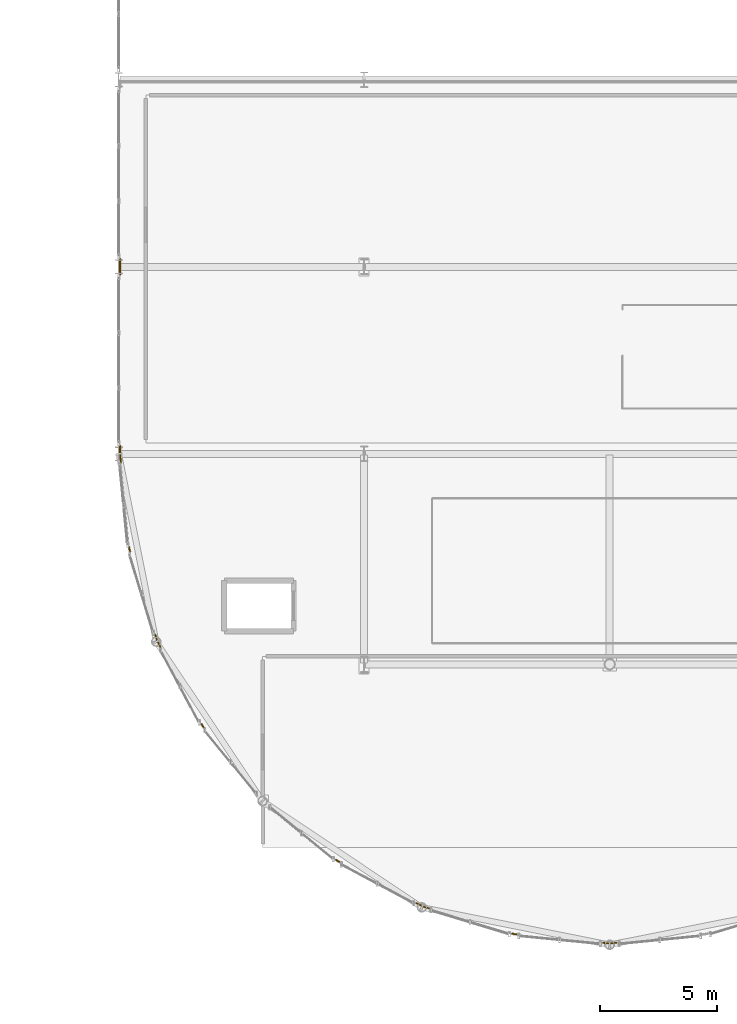
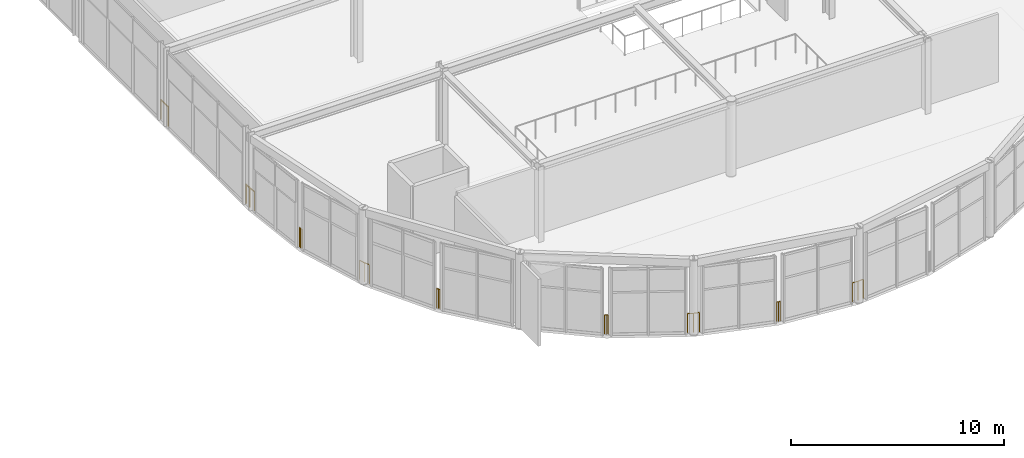
# One storey, part 88 of 105: 10 railings.
"""IFC4 building model written with IfcOpenShell, lengths in metres."""

from ifc_helpers import new_model, si_unit, direction, frame, origin, origin_2d, place, context, subcontext, project, spatial, circle, extrude, material, type_object, element, save


model = new_model("IFC4")

# Units and contexts
model_context = context("Model", 3, precision=1e-05, world=origin(), true_north=direction((0.0, 1.0)))
body_context = subcontext(model_context, "Body", "Model", "MODEL_VIEW")
ifc_project = project(units=[si_unit("LENGTHUNIT", "METRE"), si_unit("AREAUNIT", "SQUARE_METRE"), si_unit("VOLUMEUNIT", "CUBIC_METRE"), si_unit("PLANEANGLEUNIT", "RADIAN"), si_unit("MASSUNIT", "GRAM", prefix="KILO")], contexts=[model_context])

# Site, building, storey
site_placement = place(None, origin())
site = spatial("IfcSite", under=ifc_project, at=site_placement, CompositionType="ELEMENT")
building_placement = place(site_placement, origin())
building = spatial("IfcBuilding", under=site, at=building_placement, Name="Marlcrest Central Station", CompositionType="ELEMENT")
storey_placement = place(building_placement, frame((0.0, 0.0, 15.0)))
storey = spatial("IfcBuildingStorey", under=building, at=storey_placement, Name="L03", CompositionType="ELEMENT", Elevation=15.0)

# Railings
ifc_material = material(Name="Stainless steel and laminated glass concourse balustrade", Category="steel")
railing_type = type_object("IfcRailingType", Name="GR-02", PredefinedType="BALUSTRADE", material=ifc_material)
railing_1_placement = place(storey_placement, frame((87.06005859375, 22.5029296875, 0.0)))
element("IfcRailing", 1, at=railing_1_placement, inside=storey, type_object=railing_type, Name="hr-L03-00426", PredefinedType="BALUSTRADE", context=body_context, shape_type="SweptSolid", body=[
    extrude(circle(Radius=0.02392578125, at=origin_2d()), frame((0.0, 0.0, 1.09619140625), z_axis=(0.0, 1.0, 0.0), x_axis=(-1.0, 0.0, 0.0)), (0.0, 0.0, 1.0), 0.337158203125),
    extrude(circle(Radius=0.02099609375, at=origin_2d()), origin(), (0.0, 0.0, 1.0), 1.072021484375),
    extrude(circle(Radius=0.02099609375, at=origin_2d()), frame((0.0, 0.337158203125, 0.0)), (0.0, 0.0, 1.0), 1.072021484375),
])
railing_2_placement = place(storey_placement, frame((87.06005859375, 30.159912109375, 0.0)))
element("IfcRailing", 2, at=railing_2_placement, inside=storey, type_object=railing_type, Name="hr-L03-00427", PredefinedType="BALUSTRADE", context=body_context, shape_type="SweptSolid", body=[
    extrude(circle(Radius=0.02392578125, at=origin_2d()), frame((0.0, 0.0, 1.09619140625), z_axis=(0.0, 1.0, 0.0), x_axis=(-1.0, 0.0, 0.0)), (0.0, 0.0, 1.0), 0.68017578125),
    extrude(circle(Radius=0.02099609375, at=origin_2d()), origin(), (0.0, 0.0, 1.0), 1.072021484375),
    extrude(circle(Radius=0.02099609375, at=origin_2d()), frame((0.0, 0.68017578125, 0.0)), (0.0, 0.0, 1.0), 1.072021484375),
])
railing_3_placement = place(storey_placement, frame((108.285888671875, 1.589111328125, 0.0)))
element("IfcRailing", 3, at=railing_3_placement, inside=storey, type_object=railing_type, Name="hr-L03-00438", PredefinedType="BALUSTRADE", context=body_context, shape_type="SweptSolid", body=[
    extrude(circle(Radius=0.02392578125, at=origin_2d()), frame((0.0, 0.0, 1.09619140625), z_axis=(-0.994876081784, -0.101101839225, 0.0), x_axis=(0.101101839225, -0.994876081784, 0.0)), (0.0, 0.0, 1.0), 0.287353515625),
    extrude(circle(Radius=0.02392578125, at=origin_2d()), frame((-0.285888671875, -0.029052734375, 1.09619140625), z_axis=(-0.994876081784, 0.101101839225, 0.0), x_axis=(-0.101101839225, -0.994876081784, 0.0)), (0.0, 0.0, 1.0), 0.287353515625),
    extrude(circle(Radius=0.02099609375, at=origin_2d()), origin(), (0.0, 0.0, 1.0), 1.072021484375),
    extrude(circle(Radius=0.02099609375, at=origin_2d()), frame((-0.285888671875, -0.029052734375, 0.0)), (0.0, 0.0, 1.0), 1.072021484375),
    extrude(circle(Radius=0.02099609375, at=origin_2d()), frame((-0.57177734375, 0.0, 0.0)), (0.0, 0.0, 1.0), 1.072021484375),
])
railing_4_placement = place(storey_placement, frame((104.00390625, 1.9541015625, 0.0)))
element("IfcRailing", 4, at=railing_4_placement, inside=storey, type_object=railing_type, Name="hr-L03-00439", PredefinedType="BALUSTRADE", context=body_context, shape_type="SweptSolid", body=[
    extrude(circle(Radius=0.02392578125, at=origin_2d()), frame((0.0, 0.0, 1.09619140625), z_axis=(-0.995144874966, 0.0984209217, 0.0), x_axis=(-0.0984209217, -0.995144874966, 0.0)), (0.0, 0.0, 1.0), 0.08935546875),
    extrude(circle(Radius=0.02392578125, at=origin_2d()), frame((-0.0888671875, 0.0087890625, 1.09619140625), z_axis=(-0.956772580042, 0.290837119501, 0.0), x_axis=(-0.290837119501, -0.956772580042, 0.0)), (0.0, 0.0, 1.0), 0.08984375),
    extrude(circle(Radius=0.02099609375, at=origin_2d()), origin(), (0.0, 0.0, 1.0), 1.072021484375),
    extrude(circle(Radius=0.02099609375, at=origin_2d()), frame((-0.0888671875, 0.0087890625, 0.0)), (0.0, 0.0, 1.0), 1.072021484375),
    extrude(circle(Radius=0.02099609375, at=origin_2d()), frame((-0.1748046875, 0.034912109375, 0.0)), (0.0, 0.0, 1.0), 1.072021484375),
])
railing_5_placement = place(storey_placement, frame((100.262939453125, 3.071044921875, 0.0)))
element("IfcRailing", 5, at=railing_5_placement, inside=storey, type_object=railing_type, Name="hr-L03-00440", PredefinedType="BALUSTRADE", context=body_context, shape_type="SweptSolid", body=[
    extrude(circle(Radius=0.02392578125, at=origin_2d()), frame((0.0, 0.0, 1.09619140625), z_axis=(-0.956653372273, 0.291228991205, 0.0), x_axis=(-0.291228991205, -0.956653372273, 0.0)), (0.0, 0.0, 1.0), 0.288330078125),
    extrude(circle(Radius=0.02392578125, at=origin_2d()), frame((-0.27587890625, 0.083984375, 1.09619140625), z_axis=(-0.883126703113, 0.469134550261, 0.0), x_axis=(-0.469134550261, -0.883126703113, 0.0)), (0.0, 0.0, 1.0), 0.287841796875),
    extrude(circle(Radius=0.02099609375, at=origin_2d()), origin(), (0.0, 0.0, 1.0), 1.072021484375),
    extrude(circle(Radius=0.02099609375, at=origin_2d()), frame((-0.27587890625, 0.083984375, 0.0)), (0.0, 0.0, 1.0), 1.072021484375),
    extrude(circle(Radius=0.02099609375, at=origin_2d()), frame((-0.530029296875, 0.218994140625, 0.0)), (0.0, 0.0, 1.0), 1.072021484375),
])
railing_6_placement = place(storey_placement, frame((96.446044921875, 5.047119140625, 0.0)))
element("IfcRailing", 6, at=railing_6_placement, inside=storey, type_object=railing_type, Name="hr-L03-00441", PredefinedType="BALUSTRADE", context=body_context, shape_type="SweptSolid", body=[
    extrude(circle(Radius=0.02392578125, at=origin_2d()), frame((0.0, 0.0, 1.09619140625), z_axis=(-0.885620050665, 0.464410514373, 0.0), x_axis=(-0.464410514373, -0.885620050665, 0.0)), (0.0, 0.0, 1.0), 0.09033203125),
    extrude(circle(Radius=0.02392578125, at=origin_2d()), frame((-0.080078125, 0.0419921875, 1.09619140625), z_axis=(-0.770903388504, 0.636952090501, 0.0), x_axis=(-0.636952090501, -0.770903388504, 0.0)), (0.0, 0.0, 1.0), 0.08935546875),
    extrude(circle(Radius=0.02099609375, at=origin_2d()), origin(), (0.0, 0.0, 1.0), 1.072021484375),
    extrude(circle(Radius=0.02099609375, at=origin_2d()), frame((-0.080078125, 0.0419921875, 0.0)), (0.0, 0.0, 1.0), 1.072021484375),
    extrude(circle(Radius=0.02099609375, at=origin_2d()), frame((-0.14892578125, 0.098876953125, 0.0)), (0.0, 0.0, 1.0), 1.072021484375),
])
railing_7_placement = place(storey_placement, frame((90.64599609375, 10.797119140625, 0.0)))
element("IfcRailing", 7, at=railing_7_placement, inside=storey, type_object=railing_type, Name="hr-L03-00442", PredefinedType="BALUSTRADE", context=body_context, shape_type="SweptSolid", body=[
    extrude(circle(Radius=0.02392578125, at=origin_2d()), frame((0.0, 0.0, 1.09619140625), z_axis=(-0.636952090501, 0.770903388504, 0.0), x_axis=(-0.770903388504, -0.636952090501, 0.0)), (0.0, 0.0, 1.0), 0.08935546875),
    extrude(circle(Radius=0.02392578125, at=origin_2d()), frame((-0.056884765625, 0.06884765625, 1.09619140625), z_axis=(-0.464410514373, 0.885620050665, 0.0), x_axis=(-0.885620050665, -0.464410514373, 0.0)), (0.0, 0.0, 1.0), 0.09033203125),
    extrude(circle(Radius=0.02099609375, at=origin_2d()), origin(), (0.0, 0.0, 1.0), 1.072021484375),
    extrude(circle(Radius=0.02099609375, at=origin_2d()), frame((-0.056884765625, 0.06884765625, 0.0)), (0.0, 0.0, 1.0), 1.072021484375),
    extrude(circle(Radius=0.02099609375, at=origin_2d()), frame((-0.098876953125, 0.14892578125, 0.0)), (0.0, 0.0, 1.0), 1.072021484375),
])
railing_8_placement = place(storey_placement, frame((88.7900390625, 14.23291015625, 0.0)))
element("IfcRailing", 8, at=railing_8_placement, inside=storey, type_object=railing_type, Name="hr-L03-00443", PredefinedType="BALUSTRADE", context=body_context, shape_type="SweptSolid", body=[
    extrude(circle(Radius=0.02392578125, at=origin_2d()), frame((0.0, 0.0, 1.09619140625), z_axis=(-0.469134550261, 0.883126703113, 0.0), x_axis=(-0.883126703113, -0.469134550261, 0.0)), (0.0, 0.0, 1.0), 0.287841796875),
    extrude(circle(Radius=0.02392578125, at=origin_2d()), frame((-0.135009765625, 0.254150390625, 1.09619140625), z_axis=(-0.291228991205, 0.956653372273, 0.0), x_axis=(-0.956653372273, -0.291228991205, 0.0)), (0.0, 0.0, 1.0), 0.288330078125),
    extrude(circle(Radius=0.02099609375, at=origin_2d()), origin(), (0.0, 0.0, 1.0), 1.072021484375),
    extrude(circle(Radius=0.02099609375, at=origin_2d()), frame((-0.135009765625, 0.254150390625, 0.0)), (0.0, 0.0, 1.0), 1.072021484375),
    extrude(circle(Radius=0.02099609375, at=origin_2d()), frame((-0.218994140625, 0.530029296875, 0.0)), (0.0, 0.0, 1.0), 1.072021484375),
])
railing_9_placement = place(storey_placement, frame((87.489013671875, 18.3291015625, 0.0)))
element("IfcRailing", 9, at=railing_9_placement, inside=storey, type_object=railing_type, Name="hr-L03-00444", PredefinedType="BALUSTRADE", context=body_context, shape_type="SweptSolid", body=[
    extrude(circle(Radius=0.02392578125, at=origin_2d()), frame((0.0, 0.0, 1.09619140625), z_axis=(-0.290837119501, 0.956772580042, 0.0), x_axis=(-0.956772580042, -0.290837119501, 0.0)), (0.0, 0.0, 1.0), 0.08984375),
    extrude(circle(Radius=0.02392578125, at=origin_2d()), frame((-0.026123046875, 0.0859375, 1.09619140625), z_axis=(-0.0984209217, 0.995144874966, 0.0), x_axis=(-0.995144874966, -0.0984209217, 0.0)), (0.0, 0.0, 1.0), 0.08935546875),
    extrude(circle(Radius=0.02099609375, at=origin_2d()), origin(), (0.0, 0.0, 1.0), 1.072021484375),
    extrude(circle(Radius=0.02099609375, at=origin_2d()), frame((-0.026123046875, 0.0859375, 0.0)), (0.0, 0.0, 1.0), 1.072021484375),
    extrude(circle(Radius=0.02099609375, at=origin_2d()), frame((-0.034912109375, 0.1748046875, 0.0)), (0.0, 0.0, 1.0), 1.072021484375),
])
railing_10_placement = place(storey_placement, frame((87.097900390625, 22.116943359375, 0.0)))
element("IfcRailing", 10, at=railing_10_placement, inside=storey, type_object=railing_type, Name="hr-L03-00445", PredefinedType="BALUSTRADE", context=body_context, shape_type="SweptSolid", body=[
    extrude(circle(Radius=0.02392578125, at=origin_2d()), frame((0.0, 0.0, 1.09619140625), z_axis=(-0.097571424031, 0.99522852512, 0.0), x_axis=(-0.99522852512, -0.097571424031, 0.0)), (0.0, 0.0, 1.0), 0.387939453125),
    extrude(circle(Radius=0.02099609375, at=origin_2d()), origin(), (0.0, 0.0, 1.0), 1.072021484375),
    extrude(circle(Radius=0.02099609375, at=origin_2d()), frame((-0.037841796875, 0.385986328125, 0.0)), (0.0, 0.0, 1.0), 1.072021484375),
])

save(model, "model.ifc")
